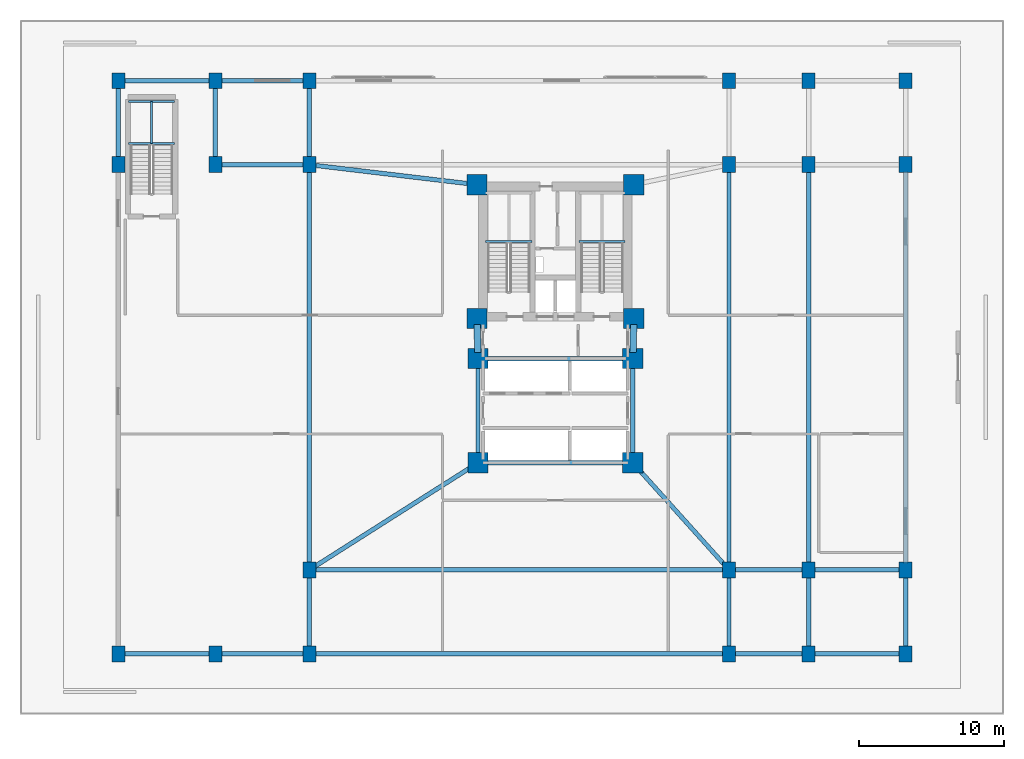
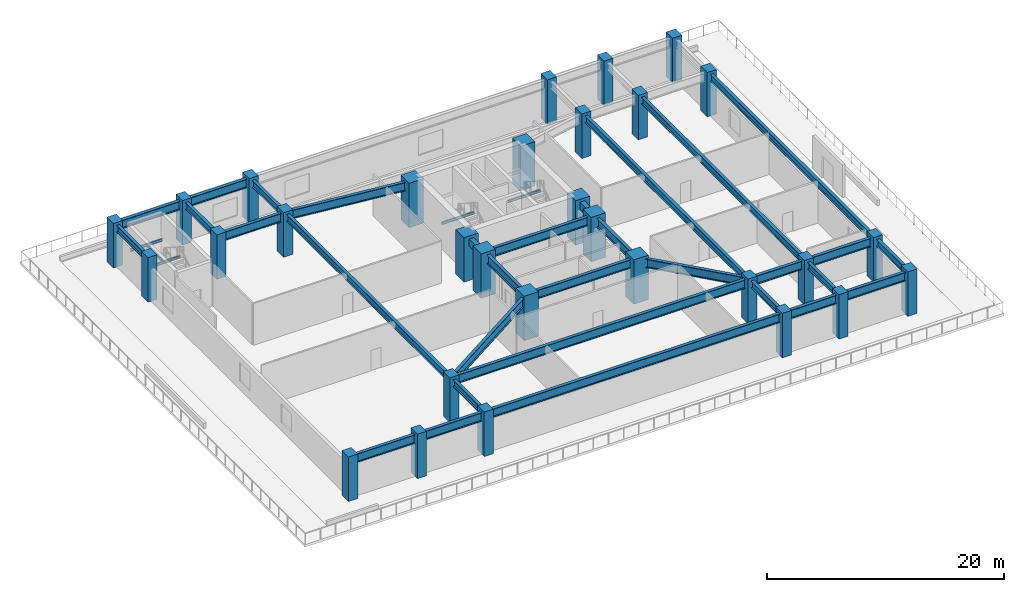
# One storey, part 1 of 10: 36 beams, 30 columns.
"""IFC4 building model written with IfcOpenShell, lengths in metres."""

from ifc_helpers import new_model, si_unit, direction, frame, origin, origin_2d, place, context, subcontext, project, spatial, rectangle, i_section, extrude, material, material_profile, profile_set, type_object, element, save


model = new_model("IFC4")

# Units and contexts
model_context = context("Model", 3, precision=1e-05, world=origin(), true_north=direction((0.0, 1.0)))
body_context = subcontext(model_context, "Body", "Model", "MODEL_VIEW")
ifc_project = project(units=[si_unit("LENGTHUNIT", "METRE"), si_unit("AREAUNIT", "SQUARE_METRE"), si_unit("VOLUMEUNIT", "CUBIC_METRE"), si_unit("PLANEANGLEUNIT", "RADIAN"), si_unit("MASSUNIT", "GRAM", prefix="KILO")], contexts=[model_context])

# Site, building, storey
site_placement = place(None, origin())
site = spatial("IfcSite", under=ifc_project, at=site_placement, CompositionType="ELEMENT")
building_placement = place(site_placement, origin())
building = spatial("IfcBuilding", under=site, at=building_placement, Name="Varnakorn Sky Granary", CompositionType="ELEMENT")
storey_placement = place(building_placement, frame((0.0, 0.0, 9.199951171875)))
storey = spatial("IfcBuildingStorey", under=building, at=storey_placement, Name="L02", CompositionType="ELEMENT", Elevation=9.199951171875)

# Columns
ifc_material_1 = material(Name="Concrete C60/75", Category="concrete")
ifc_material_profile_1 = material_profile(ifc_material_1, rectangle(XDim=1.39990234375, YDim=1.39990234375, at=origin_2d()), Name="RC 1400x1400")
ifc_profile_set_1 = profile_set([ifc_material_profile_1], Name="Concrete C60/75")
column_type_1 = type_object("IfcColumnType", Name="COL-MC-Z0", PredefinedType="COLUMN", material=ifc_profile_set_1)
for number, where, z_axis, x_axis, name in (
    (1, (-2.419921875, 12.6201171875, 0.0), (0.0, 0.0, 1.0), (1.0, 0.0, 0.0), "Backbone Mega-Column MC1 L02"),
    (2, (8.419921875, 12.6201171875, 0.0), (0.0, 0.0, 1.0), (1.0, 0.0, 0.0), "Backbone Mega-Column MC2 L02"),
    (3, (-2.419921875, 3.3798828125, 0.0), (0.0, 0.0, 1.0), (1.0, 0.0, 0.0), "Backbone Mega-Column MC3 L02"),
    (4, (8.419921875, 3.3798828125, 0.0), (0.0, 0.0, 1.0), (1.0, 0.0, 0.0), "Backbone Mega-Column MC4 L02"),
    (5, (-2.35009765625, 0.60009765625, 0.0), (0.0, 0.0, 1.0), (1.0, 0.0, 0.0), "Backbone Mega-Column MC5 L02"),
    (6, (8.35009765625, 0.60009765625, 0.0), (0.0, 0.0, 1.0), (1.0, 0.0, 0.0), "Backbone Mega-Column MC6 L02"),
    (7, (-2.35009765625, -6.60009765625, 0.0), (0.0, 0.0, 1.0), (1.0, 0.0, 0.0), "Backbone Mega-Column MC7 L02"),
    (8, (8.35009765625, -6.60009765625, 0.0), (0.0, 0.0, 1.0), (1.0, 0.0, 0.0), "Backbone Mega-Column MC8 L02"),
):
    element("IfcColumn", number, at=place(storey_placement, frame(where, z_axis=z_axis, x_axis=x_axis)), inside=storey, type_object=column_type_1, Name=name, PredefinedType="COLUMN", context=body_context, shape_type="SweptSolid", body=[
        extrude(rectangle(XDim=1.39990234375, YDim=1.39990234375, at=origin_2d()), origin(), (0.0, 0.0, 1.0), 4.574951171875),
    ])
ifc_material_profile_2 = material_profile(ifc_material_1, rectangle(XDim=0.89990234375, YDim=1.10009765625, at=origin_2d()), Name="RC 900x1100")
ifc_profile_set_2 = profile_set([ifc_material_profile_2], Name="Concrete C60/75")
column_type_2 = type_object("IfcColumnType", Name="COL-POD-1100", PredefinedType="COLUMN", material=ifc_profile_set_2)
for number, where, z_axis, x_axis, name in (
    (9, (-27.199951171875, -19.800048828125, 0.0), (0.0, 0.0, 1.0), (1.0, 0.0, 0.0), "Podium Column P11 L02"),
    (10, (-27.199951171875, 14.0, 0.0), (0.0, 0.0, 1.0), (1.0, 0.0, 0.0), "Podium Column P13 L02"),
    (11, (-27.199951171875, 19.800048828125, 0.0), (0.0, 0.0, 1.0), (1.0, 0.0, 0.0), "Podium Column P14 L02"),
    (12, (-20.5, -19.800048828125, 0.0), (0.0, 0.0, 1.0), (1.0, 0.0, 0.0), "Podium Column P21 L02"),
    (13, (-20.5, 14.0, 0.0), (0.0, 0.0, 1.0), (1.0, 0.0, 0.0), "Podium Column P23 L02"),
    (14, (-20.5, 19.800048828125, 0.0), (0.0, 0.0, 1.0), (1.0, 0.0, 0.0), "Podium Column P24 L02"),
    (15, (-14.0, -19.800048828125, 0.0), (0.0, 0.0, 1.0), (1.0, 0.0, 0.0), "Podium Column P31 L02"),
    (16, (-14.0, -14.0, 0.0), (0.0, 0.0, 1.0), (1.0, 0.0, 0.0), "Podium Column P32 L02"),
    (17, (-14.0, 14.0, 0.0), (0.0, 0.0, 1.0), (1.0, 0.0, 0.0), "Podium Column P33 L02"),
    (18, (-14.0, 19.800048828125, 0.0), (0.0, 0.0, 1.0), (1.0, 0.0, 0.0), "Podium Column P34 L02"),
    (19, (15.0, -19.800048828125, 0.0), (0.0, 0.0, 1.0), (1.0, 0.0, 0.0), "Podium Column P41 L02"),
    (20, (15.0, -14.0, 0.0), (0.0, 0.0, 1.0), (1.0, 0.0, 0.0), "Podium Column P42 L02"),
    (21, (15.0, 14.0, 0.0), (0.0, 0.0, 1.0), (1.0, 0.0, 0.0), "Podium Column P43 L02"),
    (22, (15.0, 19.800048828125, 0.0), (0.0, 0.0, 1.0), (1.0, 0.0, 0.0), "Podium Column P44 L02"),
    (23, (20.5, -19.800048828125, 0.0), (0.0, 0.0, 1.0), (1.0, 0.0, 0.0), "Podium Column P51 L02"),
    (24, (20.5, -14.0, 0.0), (0.0, 0.0, 1.0), (1.0, 0.0, 0.0), "Podium Column P52 L02"),
    (25, (20.5, 14.0, 0.0), (0.0, 0.0, 1.0), (1.0, 0.0, 0.0), "Podium Column P53 L02"),
    (26, (20.5, 19.800048828125, 0.0), (0.0, 0.0, 1.0), (1.0, 0.0, 0.0), "Podium Column P54 L02"),
    (27, (27.199951171875, -19.800048828125, 0.0), (0.0, 0.0, 1.0), (1.0, 0.0, 0.0), "Podium Column P61 L02"),
    (28, (27.199951171875, -14.0, 0.0), (0.0, 0.0, 1.0), (1.0, 0.0, 0.0), "Podium Column P62 L02"),
    (29, (27.199951171875, 14.0, 0.0), (0.0, 0.0, 1.0), (1.0, 0.0, 0.0), "Podium Column P63 L02"),
    (30, (27.199951171875, 19.800048828125, 0.0), (0.0, 0.0, 1.0), (1.0, 0.0, 0.0), "Podium Column P64 L02"),
):
    element("IfcColumn", number, at=place(storey_placement, frame(where, z_axis=z_axis, x_axis=x_axis)), inside=storey, type_object=column_type_2, Name=name, PredefinedType="COLUMN", context=body_context, shape_type="SweptSolid", body=[
        extrude(rectangle(XDim=0.89990234375, YDim=1.10009765625, at=origin_2d()), origin(), (0.0, 0.0, 1.0), 4.574951171875),
    ])

# Beams
ifc_material_profile_3 = material_profile(ifc_material_1, rectangle(XDim=0.449951171875, YDim=0.75, at=origin_2d()), Name="RC 450x750")
ifc_profile_set_3 = profile_set([ifc_material_profile_3], Name="Concrete C60/75")
beam_type_1 = type_object("IfcBeamType", Name="BM-LIN-750", PredefinedType="LINTEL", material=ifc_profile_set_3)
for number, where, z_axis, x_axis, name in (
    (31, (-2.409423828125, 2.960205078125, 3.905029296875), (0.025158763514, -0.999683468213, 0.0), (0.999683468213, 0.025158763514, 0.0), "Core Spine Beam 1 L02"),
    (32, (8.409423828125, 2.960205078125, 3.905029296875), (-0.025158763514, -0.999683468213, 0.0), (0.999683468213, -0.025158763514, 0.0), "Core Spine Beam 2 L02"),
):
    element("IfcBeam", number, at=place(storey_placement, frame(where, z_axis=z_axis, x_axis=x_axis)), inside=storey, type_object=beam_type_1, Name=name, PredefinedType="LINTEL", context=body_context, shape_type="SweptSolid", body=[
        extrude(rectangle(XDim=0.449951171875, YDim=0.75, at=origin_2d()), origin(), (0.0, 0.0, 1.0), 1.94091796875),
    ])
ifc_material_2 = material(Name="Steel S355JR", Category="steel")
ifc_material_profile_4 = material_profile(ifc_material_2, i_section(OverallWidth=0.135009765625, OverallDepth=0.27001953125, WebThickness=0.006591796875, FlangeThickness=0.01025390625, at=origin_2d()), Name="IPE 270")
ifc_profile_set_4 = profile_set([ifc_material_profile_4], Name="Steel S355JR")
beam_type_2 = type_object("IfcBeamType", Name="BM-LND-270", PredefinedType="BEAM", material=ifc_profile_set_4)
for number, where, z_axis, x_axis, name in (
    (33, (-1.820068359375, 8.679931640625, 1.965087890625), (1.0, 0.0, 0.0), (0.0, 1.0, 0.0), "Stair ST-1 Landing Trimmer Beam A L02-1"),
    (34, (4.6201171875, 8.679931640625, 1.965087890625), (1.0, 0.0, 0.0), (0.0, 1.0, 0.0), "Stair ST-2 Landing Trimmer Beam A L02-1"),
):
    element("IfcBeam", number, at=place(storey_placement, frame(where, z_axis=z_axis, x_axis=x_axis)), inside=storey, type_object=beam_type_2, Name=name, PredefinedType="BEAM", context=body_context, shape_type="SweptSolid", body=[
        extrude(i_section(OverallWidth=0.135009765625, OverallDepth=0.27001953125, WebThickness=0.006591796875, FlangeThickness=0.01025390625, at=origin_2d()), origin(), (0.0, 0.0, 1.0), 3.199951171875),
    ])
for number, where, z_axis, x_axis, name in (
    (35, (-26.5, 15.4599609375, 1.965087890625), (1.0, 0.0, 0.0), (0.0, 1.0, 0.0), "Stair ST-B3 Landing Trimmer Beam A L02-1"),
    (36, (-26.5, 18.3798828125, 1.965087890625), (1.0, 0.0, 0.0), (0.0, 1.0, 0.0), "Stair ST-B3 Landing Trimmer Beam B L02-1"),
):
    element("IfcBeam", number, at=place(storey_placement, frame(where, z_axis=z_axis, x_axis=x_axis)), inside=storey, type_object=beam_type_2, Name=name, PredefinedType="BEAM", context=body_context, shape_type="SweptSolid", body=[
        extrude(i_section(OverallWidth=0.135009765625, OverallDepth=0.27001953125, WebThickness=0.006591796875, FlangeThickness=0.01025390625, at=origin_2d()), origin(), (0.0, 0.0, 1.0), 3.179931640625),
    ])
beam_1_placement = place(storey_placement, frame((-24.909912109375, 15.4599609375, 1.965087890625), z_axis=(0.0, 1.0, 0.0), x_axis=(-1.0, 0.0, 0.0)))
element("IfcBeam", 37, at=beam_1_placement, inside=storey, type_object=beam_type_2, Name="Stair ST-B3 Landing Cross Beam C L02-1", PredefinedType="BEAM", context=body_context, shape_type="SweptSolid", body=[
    extrude(i_section(OverallWidth=0.135009765625, OverallDepth=0.27001953125, WebThickness=0.006591796875, FlangeThickness=0.01025390625, at=origin_2d()), origin(), (0.0, 0.0, 1.0), 2.919921875),
])
ifc_material_profile_5 = material_profile(ifc_material_2, i_section(OverallWidth=0.300048828125, OverallDepth=0.699951171875, WebThickness=0.01708984375, FlangeThickness=0.031982421875, at=origin_2d()), Name="HE 700 B")
ifc_profile_set_5 = profile_set([ifc_material_profile_5], Name="Steel S355JR")
beam_type_3 = type_object("IfcBeamType", Name="BM-PG-700", PredefinedType="T_BEAM", material=ifc_profile_set_5)
for number, where, z_axis, x_axis, name in (
    (38, (-27.199951171875, 14.419921875, 3.929931640625), (0.0, 1.0, 0.0), (-1.0, 0.0, 0.0), "Podium Y-Girder GY18 L02"),
    (39, (-20.5, 14.419921875, 3.929931640625), (0.0, 1.0, 0.0), (-1.0, 0.0, 0.0), "Podium Y-Girder GY19 L02"),
    (40, (-14.0, -19.3798828125, 3.929931640625), (0.0, 1.0, 0.0), (-1.0, 0.0, 0.0), "Podium Y-Girder GY20 L02"),
):
    element("IfcBeam", number, at=place(storey_placement, frame(where, z_axis=z_axis, x_axis=x_axis)), inside=storey, type_object=beam_type_3, Name=name, PredefinedType="T_BEAM", context=body_context, shape_type="SweptSolid", body=[
        extrude(i_section(OverallWidth=0.300048828125, OverallDepth=0.699951171875, WebThickness=0.01708984375, FlangeThickness=0.031982421875, at=origin_2d()), origin(), (0.0, 0.0, 1.0), 4.9599609375),
    ])
beam_2_placement = place(storey_placement, frame((-14.0, -13.580078125, 3.929931640625), z_axis=(0.0, 1.0, 0.0), x_axis=(-1.0, 0.0, 0.0)))
element("IfcBeam", 41, at=beam_2_placement, inside=storey, type_object=beam_type_3, Name="Podium Y-Girder GY21 L02", PredefinedType="T_BEAM", context=body_context, shape_type="SweptSolid", body=[
    extrude(i_section(OverallWidth=0.300048828125, OverallDepth=0.699951171875, WebThickness=0.01708984375, FlangeThickness=0.031982421875, at=origin_2d()), origin(), (0.0, 0.0, 1.0), 27.16015625),
])
for number, where, z_axis, x_axis, name in (
    (42, (-14.0, 14.419921875, 3.929931640625), (0.0, 1.0, 0.0), (-1.0, 0.0, 0.0), "Podium Y-Girder GY22 L02"),
    (43, (15.0, -19.3798828125, 3.929931640625), (0.0, 1.0, 0.0), (-1.0, 0.0, 0.0), "Podium Y-Girder GY23 L02"),
):
    element("IfcBeam", number, at=place(storey_placement, frame(where, z_axis=z_axis, x_axis=x_axis)), inside=storey, type_object=beam_type_3, Name=name, PredefinedType="T_BEAM", context=body_context, shape_type="SweptSolid", body=[
        extrude(i_section(OverallWidth=0.300048828125, OverallDepth=0.699951171875, WebThickness=0.01708984375, FlangeThickness=0.031982421875, at=origin_2d()), origin(), (0.0, 0.0, 1.0), 4.9599609375),
    ])
beam_3_placement = place(storey_placement, frame((15.0, -13.580078125, 3.929931640625), z_axis=(0.0, 1.0, 0.0), x_axis=(-1.0, 0.0, 0.0)))
element("IfcBeam", 44, at=beam_3_placement, inside=storey, type_object=beam_type_3, Name="Podium Y-Girder GY24 L02", PredefinedType="T_BEAM", context=body_context, shape_type="SweptSolid", body=[
    extrude(i_section(OverallWidth=0.300048828125, OverallDepth=0.699951171875, WebThickness=0.01708984375, FlangeThickness=0.031982421875, at=origin_2d()), origin(), (0.0, 0.0, 1.0), 27.16015625),
])
beam_4_placement = place(storey_placement, frame((20.5, -19.3798828125, 3.929931640625), z_axis=(0.0, 1.0, 0.0), x_axis=(-1.0, 0.0, 0.0)))
element("IfcBeam", 45, at=beam_4_placement, inside=storey, type_object=beam_type_3, Name="Podium Y-Girder GY26 L02", PredefinedType="T_BEAM", context=body_context, shape_type="SweptSolid", body=[
    extrude(i_section(OverallWidth=0.300048828125, OverallDepth=0.699951171875, WebThickness=0.01708984375, FlangeThickness=0.031982421875, at=origin_2d()), origin(), (0.0, 0.0, 1.0), 4.9599609375),
])
beam_5_placement = place(storey_placement, frame((20.5, -13.580078125, 3.929931640625), z_axis=(0.0, 1.0, 0.0), x_axis=(-1.0, 0.0, 0.0)))
element("IfcBeam", 46, at=beam_5_placement, inside=storey, type_object=beam_type_3, Name="Podium Y-Girder GY27 L02", PredefinedType="T_BEAM", context=body_context, shape_type="SweptSolid", body=[
    extrude(i_section(OverallWidth=0.300048828125, OverallDepth=0.699951171875, WebThickness=0.01708984375, FlangeThickness=0.031982421875, at=origin_2d()), origin(), (0.0, 0.0, 1.0), 27.16015625),
])
beam_6_placement = place(storey_placement, frame((27.199951171875, -19.3798828125, 3.929931640625), z_axis=(0.0, 1.0, 0.0), x_axis=(-1.0, 0.0, 0.0)))
element("IfcBeam", 47, at=beam_6_placement, inside=storey, type_object=beam_type_3, Name="Podium Y-Girder GY29 L02", PredefinedType="T_BEAM", context=body_context, shape_type="SweptSolid", body=[
    extrude(i_section(OverallWidth=0.300048828125, OverallDepth=0.699951171875, WebThickness=0.01708984375, FlangeThickness=0.031982421875, at=origin_2d()), origin(), (0.0, 0.0, 1.0), 4.9599609375),
])
beam_7_placement = place(storey_placement, frame((27.199951171875, -13.580078125, 3.929931640625), z_axis=(0.0, 1.0, 0.0), x_axis=(-1.0, 0.0, 0.0)))
element("IfcBeam", 48, at=beam_7_placement, inside=storey, type_object=beam_type_3, Name="Podium Y-Girder GY30 L02", PredefinedType="T_BEAM", context=body_context, shape_type="SweptSolid", body=[
    extrude(i_section(OverallWidth=0.300048828125, OverallDepth=0.699951171875, WebThickness=0.01708984375, FlangeThickness=0.031982421875, at=origin_2d()), origin(), (0.0, 0.0, 1.0), 27.16015625),
])
ifc_material_profile_6 = material_profile(ifc_material_2, i_section(OverallWidth=0.300048828125, OverallDepth=0.89990234375, WebThickness=0.0185546875, FlangeThickness=0.034912109375, at=origin_2d()), Name="HE 900 B")
ifc_profile_set_6 = profile_set([ifc_material_profile_6], Name="Steel S355JR")
beam_type_4 = type_object("IfcBeamType", Name="BM-PG-900", PredefinedType="BEAM", material=ifc_profile_set_6)
beam_8_placement = place(storey_placement, frame((-26.780029296875, -19.800048828125, 3.830078125), z_axis=(1.0, 0.0, 0.0), x_axis=(0.0, 1.0, 0.0)))
element("IfcBeam", 49, at=beam_8_placement, inside=storey, type_object=beam_type_4, Name="Podium X-Girder GX01 L02", PredefinedType="BEAM", context=body_context, shape_type="SweptSolid", body=[
    extrude(i_section(OverallWidth=0.300048828125, OverallDepth=0.89990234375, WebThickness=0.0185546875, FlangeThickness=0.034912109375, at=origin_2d()), origin(), (0.0, 0.0, 1.0), 5.860107421875),
])
beam_9_placement = place(storey_placement, frame((-20.080078125, -19.800048828125, 3.830078125), z_axis=(1.0, 0.0, 0.0), x_axis=(0.0, 1.0, 0.0)))
element("IfcBeam", 50, at=beam_9_placement, inside=storey, type_object=beam_type_4, Name="Podium X-Girder GX02 L02", PredefinedType="BEAM", context=body_context, shape_type="SweptSolid", body=[
    extrude(i_section(OverallWidth=0.300048828125, OverallDepth=0.89990234375, WebThickness=0.0185546875, FlangeThickness=0.034912109375, at=origin_2d()), origin(), (0.0, 0.0, 1.0), 5.66015625),
])
beam_10_placement = place(storey_placement, frame((-13.580078125, -19.800048828125, 3.830078125), z_axis=(1.0, 0.0, 0.0), x_axis=(0.0, 1.0, 0.0)))
element("IfcBeam", 51, at=beam_10_placement, inside=storey, type_object=beam_type_4, Name="Podium X-Girder GX03 L02", PredefinedType="BEAM", context=body_context, shape_type="SweptSolid", body=[
    extrude(i_section(OverallWidth=0.300048828125, OverallDepth=0.89990234375, WebThickness=0.0185546875, FlangeThickness=0.034912109375, at=origin_2d()), origin(), (0.0, 0.0, 1.0), 28.16015625),
])
beam_11_placement = place(storey_placement, frame((15.419921875, -19.800048828125, 3.830078125), z_axis=(1.0, 0.0, 0.0), x_axis=(0.0, 1.0, 0.0)))
element("IfcBeam", 52, at=beam_11_placement, inside=storey, type_object=beam_type_4, Name="Podium X-Girder GX04 L02", PredefinedType="BEAM", context=body_context, shape_type="SweptSolid", body=[
    extrude(i_section(OverallWidth=0.300048828125, OverallDepth=0.89990234375, WebThickness=0.0185546875, FlangeThickness=0.034912109375, at=origin_2d()), origin(), (0.0, 0.0, 1.0), 4.66015625),
])
beam_12_placement = place(storey_placement, frame((20.919921875, -19.800048828125, 3.830078125), z_axis=(1.0, 0.0, 0.0), x_axis=(0.0, 1.0, 0.0)))
element("IfcBeam", 53, at=beam_12_placement, inside=storey, type_object=beam_type_4, Name="Podium X-Girder GX05 L02", PredefinedType="BEAM", context=body_context, shape_type="SweptSolid", body=[
    extrude(i_section(OverallWidth=0.300048828125, OverallDepth=0.89990234375, WebThickness=0.0185546875, FlangeThickness=0.034912109375, at=origin_2d()), origin(), (0.0, 0.0, 1.0), 5.860107421875),
])
beam_13_placement = place(storey_placement, frame((-13.580078125, -14.0, 3.830078125), z_axis=(1.0, 0.0, 0.0), x_axis=(0.0, 1.0, 0.0)))
element("IfcBeam", 54, at=beam_13_placement, inside=storey, type_object=beam_type_4, Name="Podium X-Girder GX06 L02", PredefinedType="BEAM", context=body_context, shape_type="SweptSolid", body=[
    extrude(i_section(OverallWidth=0.300048828125, OverallDepth=0.89990234375, WebThickness=0.0185546875, FlangeThickness=0.034912109375, at=origin_2d()), origin(), (0.0, 0.0, 1.0), 28.16015625),
])
beam_14_placement = place(storey_placement, frame((15.419921875, -14.0, 3.830078125), z_axis=(1.0, 0.0, 0.0), x_axis=(0.0, 1.0, 0.0)))
element("IfcBeam", 55, at=beam_14_placement, inside=storey, type_object=beam_type_4, Name="Podium X-Girder GX07 L02", PredefinedType="BEAM", context=body_context, shape_type="SweptSolid", body=[
    extrude(i_section(OverallWidth=0.300048828125, OverallDepth=0.89990234375, WebThickness=0.0185546875, FlangeThickness=0.034912109375, at=origin_2d()), origin(), (0.0, 0.0, 1.0), 4.66015625),
])
beam_15_placement = place(storey_placement, frame((20.919921875, -14.0, 3.830078125), z_axis=(1.0, 0.0, 0.0), x_axis=(0.0, 1.0, 0.0)))
element("IfcBeam", 56, at=beam_15_placement, inside=storey, type_object=beam_type_4, Name="Podium X-Girder GX08 L02", PredefinedType="BEAM", context=body_context, shape_type="SweptSolid", body=[
    extrude(i_section(OverallWidth=0.300048828125, OverallDepth=0.89990234375, WebThickness=0.0185546875, FlangeThickness=0.034912109375, at=origin_2d()), origin(), (0.0, 0.0, 1.0), 5.860107421875),
])
beam_16_placement = place(storey_placement, frame((-20.080078125, 14.0, 3.830078125), z_axis=(1.0, 0.0, 0.0), x_axis=(0.0, 1.0, 0.0)))
element("IfcBeam", 57, at=beam_16_placement, inside=storey, type_object=beam_type_4, Name="Podium X-Girder GX09 L02", PredefinedType="BEAM", context=body_context, shape_type="SweptSolid", body=[
    extrude(i_section(OverallWidth=0.300048828125, OverallDepth=0.89990234375, WebThickness=0.0185546875, FlangeThickness=0.034912109375, at=origin_2d()), origin(), (0.0, 0.0, 1.0), 5.66015625),
])
beam_17_placement = place(storey_placement, frame((-26.780029296875, 19.800048828125, 3.830078125), z_axis=(1.0, 0.0, 0.0), x_axis=(0.0, 1.0, 0.0)))
element("IfcBeam", 58, at=beam_17_placement, inside=storey, type_object=beam_type_4, Name="Podium X-Girder GX13 L02", PredefinedType="BEAM", context=body_context, shape_type="SweptSolid", body=[
    extrude(i_section(OverallWidth=0.300048828125, OverallDepth=0.89990234375, WebThickness=0.0185546875, FlangeThickness=0.034912109375, at=origin_2d()), origin(), (0.0, 0.0, 1.0), 5.860107421875),
])
beam_18_placement = place(storey_placement, frame((-20.080078125, 19.800048828125, 3.830078125), z_axis=(1.0, 0.0, 0.0), x_axis=(0.0, 1.0, 0.0)))
element("IfcBeam", 59, at=beam_18_placement, inside=storey, type_object=beam_type_4, Name="Podium X-Girder GX14 L02", PredefinedType="BEAM", context=body_context, shape_type="SweptSolid", body=[
    extrude(i_section(OverallWidth=0.300048828125, OverallDepth=0.89990234375, WebThickness=0.0185546875, FlangeThickness=0.034912109375, at=origin_2d()), origin(), (0.0, 0.0, 1.0), 5.66015625),
])
beam_19_placement = place(storey_placement, frame((-13.5830078125, 13.9501953125, 3.830078125), z_axis=(0.992975027395, -0.118324109839, 0.0), x_axis=(0.118324109839, 0.992975027395, 0.0)))
element("IfcBeam", 60, at=beam_19_placement, inside=storey, type_object=beam_type_4, Name="Podium Core Tie Girder 1 L02", PredefinedType="BEAM", context=body_context, shape_type="SweptSolid", body=[
    extrude(i_section(OverallWidth=0.300048828125, OverallDepth=0.89990234375, WebThickness=0.0185546875, FlangeThickness=0.034912109375, at=origin_2d()), origin(), (0.0, 0.0, 1.0), 10.822021484375),
])
beam_20_placement = place(storey_placement, frame((-13.6455078125, -13.77490234375, 3.830078125), z_axis=(0.844104836764, 0.536178164933, 0.0), x_axis=(-0.536178164933, 0.844104836764, 0.0)))
element("IfcBeam", 61, at=beam_20_placement, inside=storey, type_object=beam_type_4, Name="Podium Core Tie Girder 2 L02", PredefinedType="BEAM", context=body_context, shape_type="SweptSolid", body=[
    extrude(i_section(OverallWidth=0.300048828125, OverallDepth=0.89990234375, WebThickness=0.0185546875, FlangeThickness=0.034912109375, at=origin_2d()), origin(), (0.0, 0.0, 1.0), 12.961669921875),
])
beam_21_placement = place(storey_placement, frame((14.71923828125, -13.6875, 3.830078125), z_axis=(-0.668418142949, 0.743785712538, 0.0), x_axis=(-0.743785712538, -0.668418142949, 0.0)))
element("IfcBeam", 62, at=beam_21_placement, inside=storey, type_object=beam_type_4, Name="Podium Core Tie Girder 4 L02", PredefinedType="BEAM", context=body_context, shape_type="SweptSolid", body=[
    extrude(i_section(OverallWidth=0.300048828125, OverallDepth=0.89990234375, WebThickness=0.0185546875, FlangeThickness=0.034912109375, at=origin_2d()), origin(), (0.0, 0.0, 1.0), 9.10888671875),
])
for number, where, z_axis, x_axis, name in (
    (63, (-2.35009765625, 0.179931640625, 3.830078125), (0.0, -1.0, 0.0), (1.0, 0.0, 0.0), "Core Spine Beam 3 L02"),
    (64, (8.35009765625, 0.179931640625, 3.830078125), (0.0, -1.0, 0.0), (1.0, 0.0, 0.0), "Core Spine Beam 4 L02"),
):
    element("IfcBeam", number, at=place(storey_placement, frame(where, z_axis=z_axis, x_axis=x_axis)), inside=storey, type_object=beam_type_4, Name=name, PredefinedType="BEAM", context=body_context, shape_type="SweptSolid", body=[
        extrude(i_section(OverallWidth=0.300048828125, OverallDepth=0.89990234375, WebThickness=0.0185546875, FlangeThickness=0.034912109375, at=origin_2d()), origin(), (0.0, 0.0, 1.0), 6.35986328125),
    ])
for number, where, z_axis, x_axis, name in (
    (65, (-1.929931640625, 0.60009765625, 3.830078125), (1.0, 0.0, 0.0), (0.0, 1.0, 0.0), "Core Spine Beam 5 L02"),
    (66, (-1.929931640625, -6.60009765625, 3.830078125), (1.0, 0.0, 0.0), (0.0, 1.0, 0.0), "Core Spine Beam 6 L02"),
):
    element("IfcBeam", number, at=place(storey_placement, frame(where, z_axis=z_axis, x_axis=x_axis)), inside=storey, type_object=beam_type_4, Name=name, PredefinedType="BEAM", context=body_context, shape_type="SweptSolid", body=[
        extrude(i_section(OverallWidth=0.300048828125, OverallDepth=0.89990234375, WebThickness=0.0185546875, FlangeThickness=0.034912109375, at=origin_2d()), origin(), (0.0, 0.0, 1.0), 9.85986328125),
    ])

save(model, "model.ifc")
